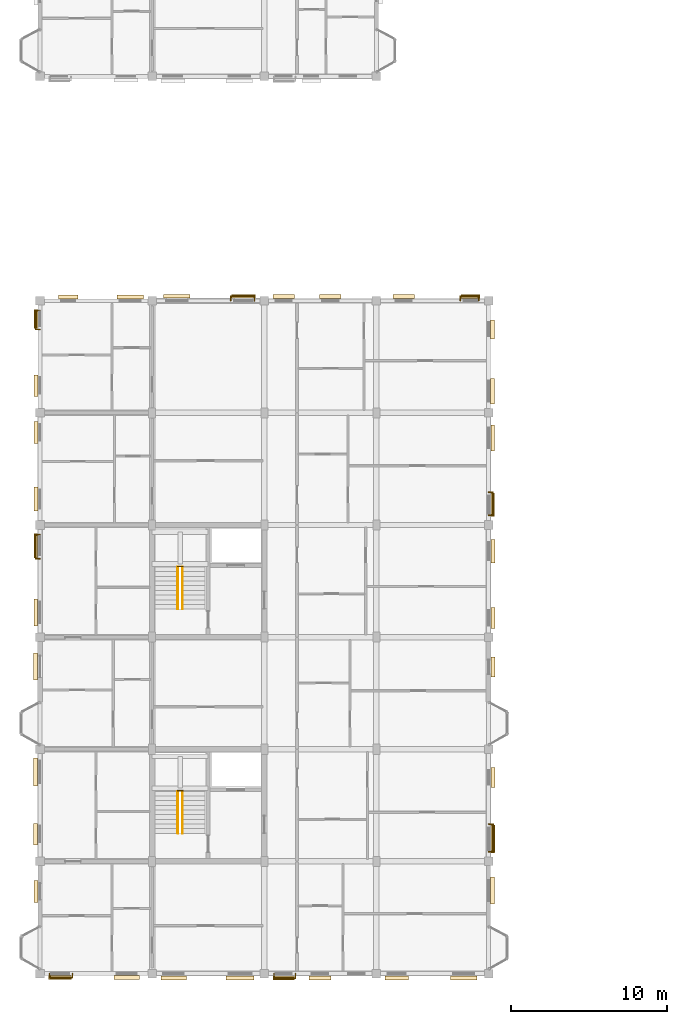
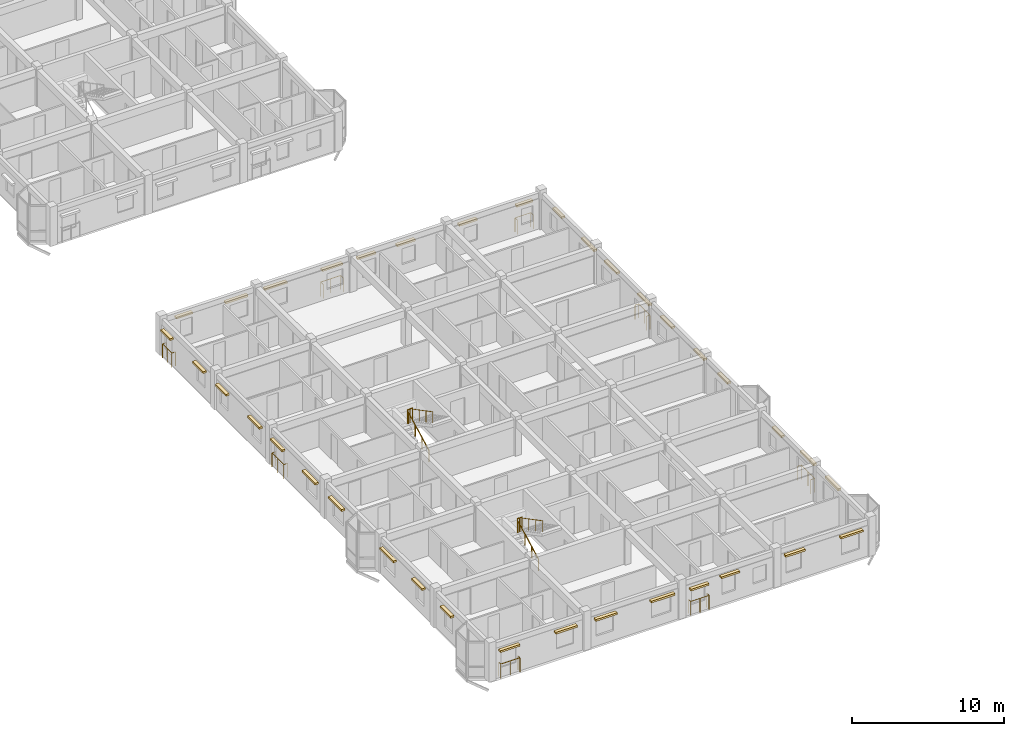
# One storey, part 69 of 75: 36 coverings, 14 railings.
"""IFC4 building model written with IfcOpenShell, lengths in metres."""

from ifc_helpers import new_model, si_unit, direction, frame, origin, origin_2d, place, context, subcontext, project, spatial, rectangle, circle, extrude, material, layer, layer_set, type_object, element, save


model = new_model("IFC4")

# Units and contexts
model_context = context("Model", 3, precision=1e-05, world=origin(), true_north=direction((0.0, 1.0)))
body_context = subcontext(model_context, "Body", "Model", "MODEL_VIEW")
ifc_project = project(units=[si_unit("LENGTHUNIT", "METRE"), si_unit("AREAUNIT", "SQUARE_METRE"), si_unit("VOLUMEUNIT", "CUBIC_METRE"), si_unit("PLANEANGLEUNIT", "RADIAN"), si_unit("MASSUNIT", "GRAM", prefix="KILO"), si_unit("THERMODYNAMICTEMPERATUREUNIT", "KELVIN"), si_unit("POWERUNIT", "WATT")], contexts=[model_context])

# Site, building, storey
site_placement = place(None, origin())
site = spatial("IfcSite", under=ifc_project, at=site_placement, CompositionType="ELEMENT")
building_placement = place(site_placement, origin())
building = spatial("IfcBuilding", under=site, at=building_placement, Name="Tavuni Mirador Residences", CompositionType="ELEMENT")
storey_placement = place(building_placement, frame((0.0, 0.0, 20.25)))
storey = spatial("IfcBuildingStorey", under=building, at=storey_placement, Name="L06", CompositionType="ELEMENT", Elevation=20.25)

# Coverings
ifc_material_1 = material(Name="Natural coral limestone", Category="masonry")
ifc_layer = layer(ifc_material_1, 0.054931640625, Name="Natural coral limestone", Category="masonry")
ifc_layer_set = layer_set([ifc_layer], Name="Natural coral limestone")
covering_type = type_object("IfcCoveringType", Name="CVT-CLAD-CORAL", PredefinedType="CLADDING", material=ifc_layer_set)
covering_1_placement = place(storey_placement, frame((4.89501953125, 6.95556640625, 2.1650390625), z_axis=(0.0, 0.0, 1.0), x_axis=(1.0, 0.0, 0.0)))
element("IfcCovering", 1, at=covering_1_placement, inside=storey, type_object=covering_type, Name="HOOD-0135", PredefinedType="CLADDING", context=body_context, shape_type="SweptSolid", body=[
    extrude(rectangle(XDim=1.47998046875, YDim=0.25, at=origin_2d()), origin(), (0.0, 0.0, 1.0), 0.14990234375),
])
for number, where, z_axis, x_axis, name in (
    (2, (9.175048828125, 6.95556640625, 2.1650390625), (0.0, 0.0, 1.0), (1.0, 0.0, 0.0), "HOOD-0136"),
    (3, (12.175048828125, 6.9130859375, 2.1650390625), (0.0, 0.0, 1.0), (1.0, 0.0, 0.0), "HOOD-0137"),
):
    element("IfcCovering", number, at=place(storey_placement, frame(where, z_axis=z_axis, x_axis=x_axis)), inside=storey, type_object=covering_type, Name=name, PredefinedType="CLADDING", context=body_context, shape_type="SweptSolid", body=[
        extrude(rectangle(XDim=1.639892578125, YDim=0.25, at=origin_2d()), origin(), (0.0, 0.0, 1.0), 0.14990234375),
    ])
covering_2_placement = place(storey_placement, frame((16.455078125, 6.9130859375, 2.1650390625), z_axis=(0.0, 0.0, 1.0), x_axis=(1.0, 0.0, 0.0)))
element("IfcCovering", 4, at=covering_2_placement, inside=storey, type_object=covering_type, Name="HOOD-0138", PredefinedType="CLADDING", context=body_context, shape_type="SweptSolid", body=[
    extrude(rectangle(XDim=1.800048828125, YDim=0.25, at=origin_2d()), origin(), (0.0, 0.0, 1.0), 0.14990234375),
])
covering_3_placement = place(storey_placement, frame((19.257568359375, 6.92041015625, 2.06494140625), z_axis=(0.0, 0.0, 1.0), x_axis=(1.0, 0.0, 0.0)))
element("IfcCovering", 5, at=covering_3_placement, inside=storey, type_object=covering_type, Name="HOOD-0139", PredefinedType="CLADDING", context=body_context, shape_type="SweptSolid", body=[
    extrude(rectangle(XDim=1.3798828125, YDim=0.25, at=origin_2d()), origin(), (0.0, 0.0, 1.0), 0.14990234375),
])
covering_4_placement = place(storey_placement, frame((21.574951171875, 6.92041015625, 2.2451171875), z_axis=(0.0, 0.0, 1.0), x_axis=(1.0, 0.0, 0.0)))
element("IfcCovering", 6, at=covering_4_placement, inside=storey, type_object=covering_type, Name="HOOD-0140", PredefinedType="CLADDING", context=body_context, shape_type="SweptSolid", body=[
    extrude(rectangle(XDim=1.389892578125, YDim=0.25, at=origin_2d()), origin(), (0.0, 0.0, 1.0), 0.14990234375),
])
covering_5_placement = place(storey_placement, frame((26.5, 6.925537109375, 2.2451171875), z_axis=(0.0, 0.0, 1.0), x_axis=(1.0, 0.0, 0.0)))
element("IfcCovering", 7, at=covering_5_placement, inside=storey, type_object=covering_type, Name="HOOD-0141", PredefinedType="CLADDING", context=body_context, shape_type="SweptSolid", body=[
    extrude(rectangle(XDim=1.489990234375, YDim=0.25, at=origin_2d()), origin(), (0.0, 0.0, 1.0), 0.14990234375),
])
covering_6_placement = place(storey_placement, frame((30.800048828125, 6.925537109375, 2.2451171875), z_axis=(0.0, 0.0, 1.0), x_axis=(1.0, 0.0, 0.0)))
element("IfcCovering", 8, at=covering_6_placement, inside=storey, type_object=covering_type, Name="HOOD-0142", PredefinedType="CLADDING", context=body_context, shape_type="SweptSolid", body=[
    extrude(rectangle(XDim=1.68994140625, YDim=0.25, at=origin_2d()), origin(), (0.0, 0.0, 1.0), 0.14990234375),
])
covering_7_placement = place(storey_placement, frame((32.6494140625, 12.532470703125, 2.240234375), z_axis=(0.0, 0.0, 1.0), x_axis=(0.0, 1.0, 0.0)))
element("IfcCovering", 9, at=covering_7_placement, inside=storey, type_object=covering_type, Name="HOOD-0143", PredefinedType="CLADDING", context=body_context, shape_type="SweptSolid", body=[
    extrude(rectangle(XDim=1.7099609375, YDim=0.260009765625, at=origin_2d()), origin(), (0.0, 0.0, 1.0), 0.159912109375),
])
covering_8_placement = place(storey_placement, frame((32.68701171875, 15.85009765625, 2.2451171875), z_axis=(0.0, 0.0, 1.0), x_axis=(0.0, 1.0, 0.0)))
element("IfcCovering", 10, at=covering_8_placement, inside=storey, type_object=covering_type, Name="HOOD-0144", PredefinedType="CLADDING", context=body_context, shape_type="SweptSolid", body=[
    extrude(rectangle(XDim=1.7900390625, YDim=0.25, at=origin_2d()), origin(), (0.0, 0.0, 1.0), 0.14990234375),
])
covering_9_placement = place(storey_placement, frame((32.68701171875, 19.784912109375, 1.955078125), z_axis=(0.0, 0.0, 1.0), x_axis=(0.0, 1.0, 0.0)))
element("IfcCovering", 11, at=covering_9_placement, inside=storey, type_object=covering_type, Name="HOOD-0145", PredefinedType="CLADDING", context=body_context, shape_type="SweptSolid", body=[
    extrude(rectangle(XDim=1.260009765625, YDim=0.25, at=origin_2d()), origin(), (0.0, 0.0, 1.0), 0.14990234375),
])
covering_10_placement = place(storey_placement, frame((32.6845703125, 26.882568359375, 1.9501953125), z_axis=(0.0, 0.0, 1.0), x_axis=(0.0, 1.0, 0.0)))
element("IfcCovering", 12, at=covering_10_placement, inside=storey, type_object=covering_type, Name="HOOD-0146", PredefinedType="CLADDING", context=body_context, shape_type="SweptSolid", body=[
    extrude(rectangle(XDim=1.280029296875, YDim=0.260009765625, at=origin_2d()), origin(), (0.0, 0.0, 1.0), 0.159912109375),
])
covering_11_placement = place(storey_placement, frame((32.674560546875, 30.02490234375, 1.955078125), z_axis=(0.0, 0.0, 1.0), x_axis=(0.0, 1.0, 0.0)))
element("IfcCovering", 13, at=covering_11_placement, inside=storey, type_object=covering_type, Name="HOOD-0147", PredefinedType="CLADDING", context=body_context, shape_type="SweptSolid", body=[
    extrude(rectangle(XDim=1.340087890625, YDim=0.25, at=origin_2d()), origin(), (0.0, 0.0, 1.0), 0.14990234375),
])
for number, where, z_axis, x_axis, name in (
    (14, (32.674560546875, 34.304931640625, 1.955078125), (0.0, 0.0, 1.0), (0.0, 1.0, 0.0), "HOOD-0148"),
    (15, (32.6669921875, 37.304931640625, 1.955078125), (0.0, 0.0, 1.0), (0.0, 1.0, 0.0), "HOOD-0149"),
):
    element("IfcCovering", number, at=place(storey_placement, frame(where, z_axis=z_axis, x_axis=x_axis)), inside=storey, type_object=covering_type, Name=name, PredefinedType="CLADDING", context=body_context, shape_type="SweptSolid", body=[
        extrude(rectangle(XDim=1.5, YDim=0.25, at=origin_2d()), origin(), (0.0, 0.0, 1.0), 0.14990234375),
    ])
for number, where, z_axis, x_axis, name in (
    (16, (32.6669921875, 41.5849609375, 1.955078125), (0.0, 0.0, 1.0), (0.0, 1.0, 0.0), "HOOD-0150"),
    (17, (32.659423828125, 44.5849609375, 1.955078125), (0.0, 0.0, 1.0), (0.0, 1.0, 0.0), "HOOD-0151"),
):
    element("IfcCovering", number, at=place(storey_placement, frame(where, z_axis=z_axis, x_axis=x_axis)), inside=storey, type_object=covering_type, Name=name, PredefinedType="CLADDING", context=body_context, shape_type="SweptSolid", body=[
        extrude(rectangle(XDim=1.659912109375, YDim=0.25, at=origin_2d()), origin(), (0.0, 0.0, 1.0), 0.14990234375),
    ])
for number, where, z_axis, x_axis, name in (
    (18, (32.659423828125, 48.56494140625, 2.06494140625), (0.0, 0.0, 1.0), (0.0, 1.0, 0.0), "HOOD-0152"),
    (19, (31.235107421875, 50.674560546875, 2.06494140625), (0.0, 0.0, 1.0), (-1.0, 0.0, 0.0), "HOOD-0153"),
):
    element("IfcCovering", number, at=place(storey_placement, frame(where, z_axis=z_axis, x_axis=x_axis)), inside=storey, type_object=covering_type, Name=name, PredefinedType="CLADDING", context=body_context, shape_type="SweptSolid", body=[
        extrude(rectangle(XDim=1.219970703125, YDim=0.25, at=origin_2d()), origin(), (0.0, 0.0, 1.0), 0.14990234375),
    ])
for number, where, z_axis, x_axis, name in (
    (20, (26.955078125, 50.674560546875, 2.06494140625), (0.0, 0.0, 1.0), (-1.0, 0.0, 0.0), "HOOD-0154"),
    (21, (22.25, 50.679443359375, 2.06494140625), (0.0, 0.0, 1.0), (-1.0, 0.0, 0.0), "HOOD-0155"),
    (22, (19.257568359375, 50.679443359375, 2.06494140625), (0.0, 0.0, 1.0), (-1.0, 0.0, 0.0), "HOOD-0156"),
):
    element("IfcCovering", number, at=place(storey_placement, frame(where, z_axis=z_axis, x_axis=x_axis)), inside=storey, type_object=covering_type, Name=name, PredefinedType="CLADDING", context=body_context, shape_type="SweptSolid", body=[
        extrude(rectangle(XDim=1.3798828125, YDim=0.25, at=origin_2d()), origin(), (0.0, 0.0, 1.0), 0.14990234375),
    ])
covering_12_placement = place(storey_placement, frame((16.675048828125, 50.68701171875, 2.06494140625), z_axis=(0.0, 0.0, 1.0), x_axis=(-1.0, 0.0, 0.0)))
element("IfcCovering", 23, at=covering_12_placement, inside=storey, type_object=covering_type, Name="HOOD-0157", PredefinedType="CLADDING", context=body_context, shape_type="SweptSolid", body=[
    extrude(rectangle(XDim=1.5400390625, YDim=0.25, at=origin_2d()), origin(), (0.0, 0.0, 1.0), 0.14990234375),
])
for number, where, z_axis, x_axis, name in (
    (24, (12.39501953125, 50.68701171875, 2.06494140625), (0.0, 0.0, 1.0), (-1.0, 0.0, 0.0), "HOOD-0158"),
    (25, (9.39501953125, 50.64453125, 2.06494140625), (0.0, 0.0, 1.0), (-1.0, 0.0, 0.0), "HOOD-0159"),
):
    element("IfcCovering", number, at=place(storey_placement, frame(where, z_axis=z_axis, x_axis=x_axis)), inside=storey, type_object=covering_type, Name=name, PredefinedType="CLADDING", context=body_context, shape_type="SweptSolid", body=[
        extrude(rectangle(XDim=1.699951171875, YDim=0.25, at=origin_2d()), origin(), (0.0, 0.0, 1.0), 0.14990234375),
    ])
for number, where, z_axis, x_axis, name in (
    (26, (5.425048828125, 50.64453125, 2.1650390625), (0.0, 0.0, 1.0), (-1.0, 0.0, 0.0), "HOOD-0160"),
    (27, (3.340576171875, 49.22509765625, 2.1650390625), (0.0, 0.0, 1.0), (0.0, -1.0, 0.0), "HOOD-0161"),
):
    element("IfcCovering", number, at=place(storey_placement, frame(where, z_axis=z_axis, x_axis=x_axis)), inside=storey, type_object=covering_type, Name=name, PredefinedType="CLADDING", context=body_context, shape_type="SweptSolid", body=[
        extrude(rectangle(XDim=1.239990234375, YDim=0.25, at=origin_2d()), origin(), (0.0, 0.0, 1.0), 0.14990234375),
    ])
for number, where, z_axis, x_axis, name in (
    (28, (3.340576171875, 44.945068359375, 2.1650390625), (0.0, 0.0, 1.0), (0.0, -1.0, 0.0), "HOOD-0162"),
    (29, (3.3330078125, 41.945068359375, 2.1650390625), (0.0, 0.0, 1.0), (0.0, -1.0, 0.0), "HOOD-0163"),
):
    element("IfcCovering", number, at=place(storey_placement, frame(where, z_axis=z_axis, x_axis=x_axis)), inside=storey, type_object=covering_type, Name=name, PredefinedType="CLADDING", context=body_context, shape_type="SweptSolid", body=[
        extrude(rectangle(XDim=1.39990234375, YDim=0.25, at=origin_2d()), origin(), (0.0, 0.0, 1.0), 0.14990234375),
    ])
for number, where, z_axis, x_axis, name in (
    (30, (3.3330078125, 37.6650390625, 2.1650390625), (0.0, 0.0, 1.0), (0.0, -1.0, 0.0), "HOOD-0164"),
    (31, (3.325439453125, 34.6650390625, 2.1650390625), (0.0, 0.0, 1.0), (0.0, -1.0, 0.0), "HOOD-0165"),
):
    element("IfcCovering", number, at=place(storey_placement, frame(where, z_axis=z_axis, x_axis=x_axis)), inside=storey, type_object=covering_type, Name=name, PredefinedType="CLADDING", context=body_context, shape_type="SweptSolid", body=[
        extrude(rectangle(XDim=1.56005859375, YDim=0.25, at=origin_2d()), origin(), (0.0, 0.0, 1.0), 0.14990234375),
    ])
covering_13_placement = place(storey_placement, frame((3.325439453125, 30.385009765625, 2.1650390625), z_axis=(0.0, 0.0, 1.0), x_axis=(0.0, -1.0, 0.0)))
element("IfcCovering", 32, at=covering_13_placement, inside=storey, type_object=covering_type, Name="HOOD-0166", PredefinedType="CLADDING", context=body_context, shape_type="SweptSolid", body=[
    extrude(rectangle(XDim=1.719970703125, YDim=0.25, at=origin_2d()), origin(), (0.0, 0.0, 1.0), 0.14990234375),
])
covering_14_placement = place(storey_placement, frame((3.3154296875, 26.907470703125, 2.16015625), z_axis=(0.0, 0.0, 1.0), x_axis=(0.0, -1.0, 0.0)))
element("IfcCovering", 33, at=covering_14_placement, inside=storey, type_object=covering_type, Name="HOOD-0167", PredefinedType="CLADDING", context=body_context, shape_type="SweptSolid", body=[
    extrude(rectangle(XDim=1.739990234375, YDim=0.260009765625, at=origin_2d()), origin(), (0.0, 0.0, 1.0), 0.159912109375),
])
covering_15_placement = place(storey_placement, frame((3.31298828125, 20.14501953125, 2.1650390625), z_axis=(0.0, 0.0, 1.0), x_axis=(0.0, -1.0, 0.0)))
element("IfcCovering", 34, at=covering_15_placement, inside=storey, type_object=covering_type, Name="HOOD-0168", PredefinedType="CLADDING", context=body_context, shape_type="SweptSolid", body=[
    extrude(rectangle(XDim=1.800048828125, YDim=0.25, at=origin_2d()), origin(), (0.0, 0.0, 1.0), 0.14990234375),
])
covering_16_placement = place(storey_placement, frame((3.31298828125, 16.14990234375, 2.2451171875), z_axis=(0.0, 0.0, 1.0), x_axis=(0.0, -1.0, 0.0)))
element("IfcCovering", 35, at=covering_16_placement, inside=storey, type_object=covering_type, Name="HOOD-0169", PredefinedType="CLADDING", context=body_context, shape_type="SweptSolid", body=[
    extrude(rectangle(XDim=1.389892578125, YDim=0.25, at=origin_2d()), origin(), (0.0, 0.0, 1.0), 0.14990234375),
])
covering_17_placement = place(storey_placement, frame((3.3505859375, 12.467529296875, 2.240234375), z_axis=(0.0, 0.0, 1.0), x_axis=(0.0, -1.0, 0.0)))
element("IfcCovering", 36, at=covering_17_placement, inside=storey, type_object=covering_type, Name="HOOD-0170", PredefinedType="CLADDING", context=body_context, shape_type="SweptSolid", body=[
    extrude(rectangle(XDim=1.409912109375, YDim=0.260009765625, at=origin_2d()), origin(), (0.0, 0.0, 1.0), 0.159912109375),
])

# Railings
ifc_material_2 = material(Name="Structural steel S355", Category="steel")
railing_type_1 = type_object("IfcRailingType", Name="RT-BL1150", PredefinedType="BALUSTRADE", material=ifc_material_2)
railing_1_placement = place(storey_placement, frame((4.22509765625, 7.199951171875, 0.0400390625)))
element("IfcRailing", 37, at=railing_1_placement, inside=storey, type_object=railing_type_1, Name="BALC-BLK-A-L06-S00", PredefinedType="BALUSTRADE", context=body_context, shape_type="SweptSolid", body=[
    extrude(circle(Radius=0.02392578125, at=origin_2d()), frame((0.0, 0.0, 1.1259765625), z_axis=(0.0, -1.0, 0.0), x_axis=(1.0, 0.0, 0.0)), (0.0, 0.0, 1.0), 0.262451171875),
    extrude(circle(Radius=0.02392578125, at=origin_2d()), frame((0.0, -0.262451171875, 1.1259765625), z_axis=(1.0, 0.0, 0.0), x_axis=(0.0, 1.0, 0.0)), (0.0, 0.0, 1.0), 1.4599609375),
    extrude(circle(Radius=0.02392578125, at=origin_2d()), frame((1.4599609375, -0.262451171875, 1.1259765625), z_axis=(0.0, 1.0, 0.0), x_axis=(-1.0, 0.0, 0.0)), (0.0, 0.0, 1.0), 0.262451171875),
    extrude(circle(Radius=0.02099609375, at=origin_2d()), origin(), (0.0, 0.0, 1.0), 1.101806640625),
    extrude(circle(Radius=0.02099609375, at=origin_2d()), frame((0.0, -0.262451171875, 0.0)), (0.0, 0.0, 1.0), 1.101806640625),
    extrude(circle(Radius=0.02099609375, at=origin_2d()), frame((0.72998046875, -0.262451171875, 0.0)), (0.0, 0.0, 1.0), 1.101806640625),
    extrude(circle(Radius=0.02099609375, at=origin_2d()), frame((1.4599609375, -0.262451171875, 0.0)), (0.0, 0.0, 1.0), 1.101806640625),
    extrude(circle(Radius=0.02099609375, at=origin_2d()), frame((1.4599609375, 0.0, 0.0)), (0.0, 0.0, 1.0), 1.101806640625),
])
railing_2_placement = place(storey_placement, frame((18.625, 7.199951171875, 0.0400390625)))
element("IfcRailing", 38, at=railing_2_placement, inside=storey, type_object=railing_type_1, Name="BALC-BLK-A-L06-S02", PredefinedType="BALUSTRADE", context=body_context, shape_type="SweptSolid", body=[
    extrude(circle(Radius=0.02392578125, at=origin_2d()), frame((0.0, 0.0, 1.1259765625), z_axis=(0.0, -1.0, 0.0), x_axis=(1.0, 0.0, 0.0)), (0.0, 0.0, 1.0), 0.29736328125),
    extrude(circle(Radius=0.02392578125, at=origin_2d()), frame((0.0, -0.29736328125, 1.1259765625), z_axis=(1.0, 0.0, 0.0), x_axis=(0.0, 1.0, 0.0)), (0.0, 0.0, 1.0), 1.37255859375),
    extrude(circle(Radius=0.02392578125, at=origin_2d()), frame((1.37255859375, -0.29736328125, 1.1259765625), z_axis=(0.0, 1.0, 0.0), x_axis=(-1.0, 0.0, 0.0)), (0.0, 0.0, 1.0), 0.29736328125),
    extrude(circle(Radius=0.02099609375, at=origin_2d()), origin(), (0.0, 0.0, 1.0), 1.101806640625),
    extrude(circle(Radius=0.02099609375, at=origin_2d()), frame((0.0, -0.29736328125, 0.0)), (0.0, 0.0, 1.0), 1.101806640625),
    extrude(circle(Radius=0.02099609375, at=origin_2d()), frame((0.686279296875, -0.29736328125, 0.0)), (0.0, 0.0, 1.0), 1.101806640625),
    extrude(circle(Radius=0.02099609375, at=origin_2d()), frame((1.37255859375, -0.29736328125, 0.0)), (0.0, 0.0, 1.0), 1.101806640625),
    extrude(circle(Radius=0.02099609375, at=origin_2d()), frame((1.37255859375, 0.0, 0.0)), (0.0, 0.0, 1.0), 1.101806640625),
])
railing_3_placement = place(storey_placement, frame((32.39990234375, 15.02490234375, 0.0400390625)))
element("IfcRailing", 39, at=railing_3_placement, inside=storey, type_object=railing_type_1, Name="BALC-BLK-A-L06-E01", PredefinedType="BALUSTRADE", context=body_context, shape_type="SweptSolid", body=[
    extrude(circle(Radius=0.02392578125, at=origin_2d()), frame((0.0, 0.0, 1.1259765625), z_axis=(1.0, 0.0, 0.0), x_axis=(0.0, 1.0, 0.0)), (0.0, 0.0, 1.0), 0.30517578125),
    extrude(circle(Radius=0.02392578125, at=origin_2d()), frame((0.30517578125, 0.0, 1.1259765625), z_axis=(0.0, 1.0, 0.0), x_axis=(-1.0, 0.0, 0.0)), (0.0, 0.0, 1.0), 1.77001953125),
    extrude(circle(Radius=0.02392578125, at=origin_2d()), frame((0.30517578125, 1.77001953125, 1.1259765625), z_axis=(-1.0, 0.0, 0.0), x_axis=(0.0, -1.0, 0.0)), (0.0, 0.0, 1.0), 0.30517578125),
    extrude(circle(Radius=0.02099609375, at=origin_2d()), origin(), (0.0, 0.0, 1.0), 1.101806640625),
    extrude(circle(Radius=0.02099609375, at=origin_2d()), frame((0.30517578125, 0.0, 0.0)), (0.0, 0.0, 1.0), 1.101806640625),
    extrude(circle(Radius=0.02099609375, at=origin_2d()), frame((0.30517578125, 0.885009765625, 0.0)), (0.0, 0.0, 1.0), 1.101806640625),
    extrude(circle(Radius=0.02099609375, at=origin_2d()), frame((0.30517578125, 1.77001953125, 0.0)), (0.0, 0.0, 1.0), 1.101806640625),
    extrude(circle(Radius=0.02099609375, at=origin_2d()), frame((0.0, 1.77001953125, 0.0)), (0.0, 0.0, 1.0), 1.101806640625),
])
railing_4_placement = place(storey_placement, frame((32.39990234375, 36.625, 0.0400390625)))
element("IfcRailing", 40, at=railing_4_placement, inside=storey, type_object=railing_type_1, Name="BALC-BLK-A-L06-E04", PredefinedType="BALUSTRADE", context=body_context, shape_type="SweptSolid", body=[
    extrude(circle(Radius=0.02392578125, at=origin_2d()), frame((0.0, 0.0, 1.1259765625), z_axis=(1.0, 0.0, 0.0), x_axis=(0.0, 1.0, 0.0)), (0.0, 0.0, 1.0), 0.28515625),
    extrude(circle(Radius=0.02392578125, at=origin_2d()), frame((0.28515625, 0.0, 1.1259765625), z_axis=(0.0, 1.0, 0.0), x_axis=(-1.0, 0.0, 0.0)), (0.0, 0.0, 1.0), 1.47998046875),
    extrude(circle(Radius=0.02392578125, at=origin_2d()), frame((0.28515625, 1.47998046875, 1.1259765625), z_axis=(-1.0, 0.0, 0.0), x_axis=(0.0, -1.0, 0.0)), (0.0, 0.0, 1.0), 0.28515625),
    extrude(circle(Radius=0.02099609375, at=origin_2d()), origin(), (0.0, 0.0, 1.0), 1.101806640625),
    extrude(circle(Radius=0.02099609375, at=origin_2d()), frame((0.28515625, 0.0, 0.0)), (0.0, 0.0, 1.0), 1.101806640625),
    extrude(circle(Radius=0.02099609375, at=origin_2d()), frame((0.28515625, 0.739990234375, 0.0)), (0.0, 0.0, 1.0), 1.101806640625),
    extrude(circle(Radius=0.02099609375, at=origin_2d()), frame((0.28515625, 1.47998046875, 0.0)), (0.0, 0.0, 1.0), 1.101806640625),
    extrude(circle(Radius=0.02099609375, at=origin_2d()), frame((0.0, 1.47998046875, 0.0)), (0.0, 0.0, 1.0), 1.101806640625),
])
railing_5_placement = place(storey_placement, frame((31.77490234375, 50.39990234375, 0.0400390625)))
element("IfcRailing", 41, at=railing_5_placement, inside=storey, type_object=railing_type_1, Name="BALC-BLK-A-L06-N03", PredefinedType="BALUSTRADE", context=body_context, shape_type="SweptSolid", body=[
    extrude(circle(Radius=0.02392578125, at=origin_2d()), frame((0.0, 0.0, 1.1259765625), z_axis=(0.0, 1.0, 0.0), x_axis=(-1.0, 0.0, 0.0)), (0.0, 0.0, 1.0), 0.29248046875),
    extrude(circle(Radius=0.02392578125, at=origin_2d()), frame((0.0, 0.29248046875, 1.1259765625), z_axis=(-1.0, 0.0, 0.0), x_axis=(0.0, -1.0, 0.0)), (0.0, 0.0, 1.0), 1.199951171875),
    extrude(circle(Radius=0.02392578125, at=origin_2d()), frame((-1.199951171875, 0.29248046875, 1.1259765625), z_axis=(0.0, -1.0, 0.0), x_axis=(1.0, 0.0, 0.0)), (0.0, 0.0, 1.0), 0.29248046875),
    extrude(circle(Radius=0.02099609375, at=origin_2d()), origin(), (0.0, 0.0, 1.0), 1.101806640625),
    extrude(circle(Radius=0.02099609375, at=origin_2d()), frame((0.0, 0.29248046875, 0.0)), (0.0, 0.0, 1.0), 1.101806640625),
    extrude(circle(Radius=0.02099609375, at=origin_2d()), frame((-1.199951171875, 0.29248046875, 0.0)), (0.0, 0.0, 1.0), 1.101806640625),
    extrude(circle(Radius=0.02099609375, at=origin_2d()), frame((-1.199951171875, 0.0, 0.0)), (0.0, 0.0, 1.0), 1.101806640625),
])
railing_6_placement = place(storey_placement, frame((17.375, 50.39990234375, 0.0400390625)))
element("IfcRailing", 42, at=railing_6_placement, inside=storey, type_object=railing_type_1, Name="BALC-BLK-A-L06-N01", PredefinedType="BALUSTRADE", context=body_context, shape_type="SweptSolid", body=[
    extrude(circle(Radius=0.02392578125, at=origin_2d()), frame((0.0, 0.0, 1.1259765625), z_axis=(0.0, 1.0, 0.0), x_axis=(-1.0, 0.0, 0.0)), (0.0, 0.0, 1.0), 0.30517578125),
    extrude(circle(Radius=0.02392578125, at=origin_2d()), frame((0.0, 0.30517578125, 1.1259765625), z_axis=(-1.0, 0.0, 0.0), x_axis=(0.0, -1.0, 0.0)), (0.0, 0.0, 1.0), 1.52001953125),
    extrude(circle(Radius=0.02392578125, at=origin_2d()), frame((-1.52001953125, 0.30517578125, 1.1259765625), z_axis=(0.0, -1.0, 0.0), x_axis=(1.0, 0.0, 0.0)), (0.0, 0.0, 1.0), 0.30517578125),
    extrude(circle(Radius=0.02099609375, at=origin_2d()), origin(), (0.0, 0.0, 1.0), 1.101806640625),
    extrude(circle(Radius=0.02099609375, at=origin_2d()), frame((0.0, 0.30517578125, 0.0)), (0.0, 0.0, 1.0), 1.101806640625),
    extrude(circle(Radius=0.02099609375, at=origin_2d()), frame((-0.760009765625, 0.30517578125, 0.0)), (0.0, 0.0, 1.0), 1.101806640625),
    extrude(circle(Radius=0.02099609375, at=origin_2d()), frame((-1.52001953125, 0.30517578125, 0.0)), (0.0, 0.0, 1.0), 1.101806640625),
    extrude(circle(Radius=0.02099609375, at=origin_2d()), frame((-1.52001953125, 0.0, 0.0)), (0.0, 0.0, 1.0), 1.101806640625),
])
railing_7_placement = place(storey_placement, frame((3.60009765625, 49.77490234375, 0.0400390625)))
element("IfcRailing", 43, at=railing_7_placement, inside=storey, type_object=railing_type_1, Name="BALC-BLK-A-L06-W05", PredefinedType="BALUSTRADE", context=body_context, shape_type="SweptSolid", body=[
    extrude(circle(Radius=0.02392578125, at=origin_2d()), frame((0.0, 0.0, 1.1259765625), z_axis=(-1.0, 0.0, 0.0), x_axis=(0.0, -1.0, 0.0)), (0.0, 0.0, 1.0), 0.277587890625),
    extrude(circle(Radius=0.02392578125, at=origin_2d()), frame((-0.277587890625, 0.0, 1.1259765625), z_axis=(0.0, -1.0, 0.0), x_axis=(1.0, 0.0, 0.0)), (0.0, 0.0, 1.0), 1.219970703125),
    extrude(circle(Radius=0.02392578125, at=origin_2d()), frame((-0.277587890625, -1.219970703125, 1.1259765625), z_axis=(1.0, 0.0, 0.0), x_axis=(0.0, 1.0, 0.0)), (0.0, 0.0, 1.0), 0.277587890625),
    extrude(circle(Radius=0.02099609375, at=origin_2d()), origin(), (0.0, 0.0, 1.0), 1.101806640625),
    extrude(circle(Radius=0.02099609375, at=origin_2d()), frame((-0.277587890625, 0.0, 0.0)), (0.0, 0.0, 1.0), 1.101806640625),
    extrude(circle(Radius=0.02099609375, at=origin_2d()), frame((-0.277587890625, -0.60986328125, 0.0)), (0.0, 0.0, 1.0), 1.101806640625),
    extrude(circle(Radius=0.02099609375, at=origin_2d()), frame((-0.277587890625, -1.219970703125, 0.0)), (0.0, 0.0, 1.0), 1.101806640625),
    extrude(circle(Radius=0.02099609375, at=origin_2d()), frame((0.0, -1.219970703125, 0.0)), (0.0, 0.0, 1.0), 1.101806640625),
])
railing_8_placement = place(storey_placement, frame((3.60009765625, 35.375, 0.0400390625)))
element("IfcRailing", 44, at=railing_8_placement, inside=storey, type_object=railing_type_1, Name="BALC-BLK-A-L06-W03", PredefinedType="BALUSTRADE", context=body_context, shape_type="SweptSolid", body=[
    extrude(circle(Radius=0.02392578125, at=origin_2d()), frame((0.0, 0.0, 1.1259765625), z_axis=(-1.0, 0.0, 0.0), x_axis=(0.0, -1.0, 0.0)), (0.0, 0.0, 1.0), 0.29248046875),
    extrude(circle(Radius=0.02392578125, at=origin_2d()), frame((-0.29248046875, 0.0, 1.1259765625), z_axis=(0.0, -1.0, 0.0), x_axis=(1.0, 0.0, 0.0)), (0.0, 0.0, 1.0), 1.5400390625),
    extrude(circle(Radius=0.02392578125, at=origin_2d()), frame((-0.29248046875, -1.5400390625, 1.1259765625), z_axis=(1.0, 0.0, 0.0), x_axis=(0.0, 1.0, 0.0)), (0.0, 0.0, 1.0), 0.29248046875),
    extrude(circle(Radius=0.02099609375, at=origin_2d()), origin(), (0.0, 0.0, 1.0), 1.101806640625),
    extrude(circle(Radius=0.02099609375, at=origin_2d()), frame((-0.29248046875, 0.0, 0.0)), (0.0, 0.0, 1.0), 1.101806640625),
    extrude(circle(Radius=0.02099609375, at=origin_2d()), frame((-0.29248046875, -0.77001953125, 0.0)), (0.0, 0.0, 1.0), 1.101806640625),
    extrude(circle(Radius=0.02099609375, at=origin_2d()), frame((-0.29248046875, -1.5400390625, 0.0)), (0.0, 0.0, 1.0), 1.101806640625),
    extrude(circle(Radius=0.02099609375, at=origin_2d()), frame((0.0, -1.5400390625, 0.0)), (0.0, 0.0, 1.0), 1.101806640625),
])
railing_type_2 = type_object("IfcRailingType", Name="RT-GR1120", PredefinedType="GUARDRAIL", material=ifc_material_2)
for number, where, name in (
    (45, (12.419921875, 18.93994140625, 1.574951171875), "GRD-HL-ST1-L06"),
    (46, (12.419921875, 33.340087890625, 1.574951171875), "GRD-HL-ST2-L06"),
):
    element("IfcRailing", number, at=place(storey_placement, frame(where)), inside=storey, type_object=railing_type_2, Name=name, PredefinedType="GUARDRAIL", context=body_context, shape_type="SweptSolid", body=[
        extrude(circle(Radius=0.02392578125, at=origin_2d()), frame((0.0, 0.0, 1.09619140625), z_axis=(1.0, 0.0, 0.0), x_axis=(0.0, 1.0, 0.0)), (0.0, 0.0, 1.0), 0.360107421875),
        extrude(circle(Radius=0.02099609375, at=origin_2d()), origin(), (0.0, 0.0, 1.0), 1.072021484375),
        extrude(circle(Radius=0.02099609375, at=origin_2d()), frame((0.18017578125, 0.0, 0.0)), (0.0, 0.0, 1.0), 1.072021484375),
        extrude(circle(Radius=0.02099609375, at=origin_2d()), frame((0.360107421875, 0.0, 0.0)), (0.0, 0.0, 1.0), 1.072021484375),
    ])
railing_type_3 = type_object("IfcRailingType", Name="RT-HR920", PredefinedType="HANDRAIL", material=ifc_material_2)
railing_9_placement = place(storey_placement, frame((12.449951171875, 16.199951171875, 0.157470703125)))
element("IfcRailing", 47, at=railing_9_placement, inside=storey, type_object=railing_type_3, Name="HR-ST1-L06-F1", PredefinedType="HANDRAIL", context=body_context, shape_type="SweptSolid", body=[
    extrude(circle(Radius=0.02392578125, at=origin_2d()), frame((0.0, 0.0, 0.89599609375), z_axis=(0.0, 0.885397079081, 0.464835468048), x_axis=(-1.0, 0.0, 0.0)), (0.0, 0.0, 1.0), 3.04931640625),
    extrude(circle(Radius=0.02099609375, at=origin_2d()), origin(), (0.0, 0.0, 1.0), 0.871826171875),
    extrude(circle(Radius=0.02099609375, at=origin_2d()), frame((0.0, 0.89990234375, 0.472412109375)), (0.0, 0.0, 1.0), 0.871826171875),
    extrude(circle(Radius=0.02099609375, at=origin_2d()), frame((0.0, 1.800048828125, 0.945068359375)), (0.0, 0.0, 1.0), 0.871826171875),
    extrude(circle(Radius=0.02099609375, at=origin_2d()), frame((0.0, 2.699951171875, 1.41748046875)), (0.0, 0.0, 1.0), 0.871826171875),
])
railing_10_placement = place(storey_placement, frame((12.75, 18.89990234375, 1.732421875)))
element("IfcRailing", 48, at=railing_10_placement, inside=storey, type_object=railing_type_3, Name="HR-ST1-L06-F2", PredefinedType="HANDRAIL", context=body_context, shape_type="SweptSolid", body=[
    extrude(circle(Radius=0.02392578125, at=origin_2d()), frame((0.0, 0.0, 0.89599609375), z_axis=(0.0, -0.885397079081, 0.464835468048), x_axis=(1.0, 0.0, 0.0)), (0.0, 0.0, 1.0), 3.04931640625),
    extrude(circle(Radius=0.02099609375, at=origin_2d()), origin(), (0.0, 0.0, 1.0), 0.871826171875),
    extrude(circle(Radius=0.02099609375, at=origin_2d()), frame((0.0, -0.89990234375, 0.472412109375)), (0.0, 0.0, 1.0), 0.871826171875),
    extrude(circle(Radius=0.02099609375, at=origin_2d()), frame((0.0, -1.800048828125, 0.945068359375)), (0.0, 0.0, 1.0), 0.871826171875),
    extrude(circle(Radius=0.02099609375, at=origin_2d()), frame((0.0, -2.699951171875, 1.41748046875)), (0.0, 0.0, 1.0), 0.871826171875),
])
railing_11_placement = place(storey_placement, frame((12.449951171875, 30.60009765625, 0.157470703125)))
element("IfcRailing", 49, at=railing_11_placement, inside=storey, type_object=railing_type_3, Name="HR-ST2-L06-F1", PredefinedType="HANDRAIL", context=body_context, shape_type="SweptSolid", body=[
    extrude(circle(Radius=0.02392578125, at=origin_2d()), frame((0.0, 0.0, 0.89599609375), z_axis=(0.0, 0.885397079081, 0.464835468048), x_axis=(-1.0, 0.0, 0.0)), (0.0, 0.0, 1.0), 3.04931640625),
    extrude(circle(Radius=0.02099609375, at=origin_2d()), origin(), (0.0, 0.0, 1.0), 0.871826171875),
    extrude(circle(Radius=0.02099609375, at=origin_2d()), frame((0.0, 0.89990234375, 0.472412109375)), (0.0, 0.0, 1.0), 0.871826171875),
    extrude(circle(Radius=0.02099609375, at=origin_2d()), frame((0.0, 1.800048828125, 0.945068359375)), (0.0, 0.0, 1.0), 0.871826171875),
    extrude(circle(Radius=0.02099609375, at=origin_2d()), frame((0.0, 2.699951171875, 1.41748046875)), (0.0, 0.0, 1.0), 0.871826171875),
])
railing_12_placement = place(storey_placement, frame((12.75, 33.300048828125, 1.732421875)))
element("IfcRailing", 50, at=railing_12_placement, inside=storey, type_object=railing_type_3, Name="HR-ST2-L06-F2", PredefinedType="HANDRAIL", context=body_context, shape_type="SweptSolid", body=[
    extrude(circle(Radius=0.02392578125, at=origin_2d()), frame((0.0, 0.0, 0.89599609375), z_axis=(0.0, -0.885397079081, 0.464835468048), x_axis=(1.0, 0.0, 0.0)), (0.0, 0.0, 1.0), 3.04931640625),
    extrude(circle(Radius=0.02099609375, at=origin_2d()), origin(), (0.0, 0.0, 1.0), 0.871826171875),
    extrude(circle(Radius=0.02099609375, at=origin_2d()), frame((0.0, -0.89990234375, 0.472412109375)), (0.0, 0.0, 1.0), 0.871826171875),
    extrude(circle(Radius=0.02099609375, at=origin_2d()), frame((0.0, -1.800048828125, 0.945068359375)), (0.0, 0.0, 1.0), 0.871826171875),
    extrude(circle(Radius=0.02099609375, at=origin_2d()), frame((0.0, -2.699951171875, 1.41748046875)), (0.0, 0.0, 1.0), 0.871826171875),
])

save(model, "model.ifc")
